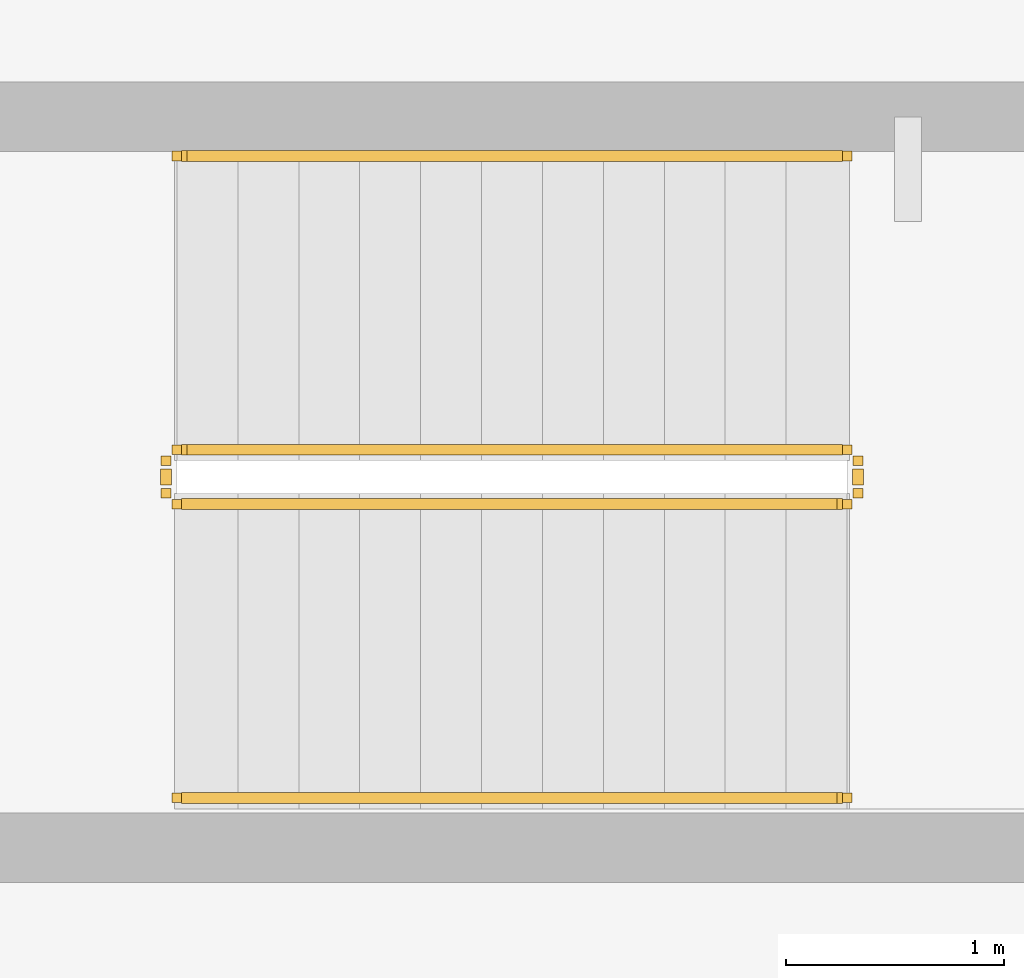
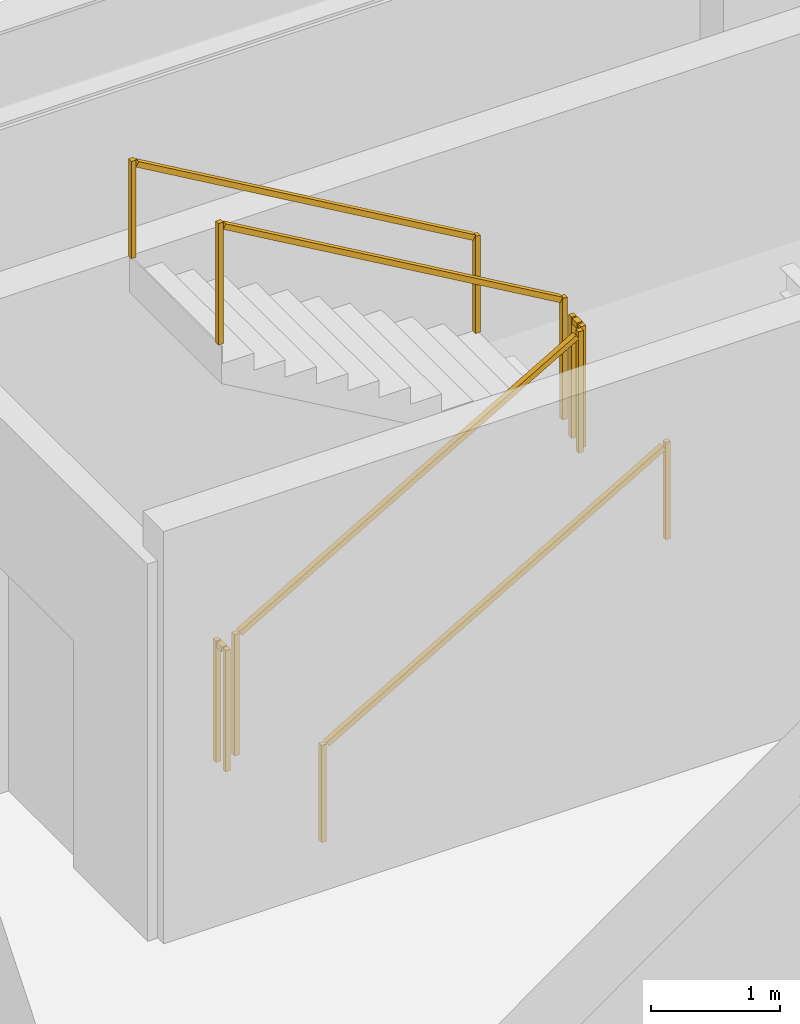
# One storey, part 14 of 16: 6 railings.
"""IFC4 building model written with IfcOpenShell, lengths in metres."""

import ifcopenshell
import ifcopenshell.guid

model = None  # the IFC model being written
_history = None  # IfcOwnerHistory: only IFC2X3 demands one
_inside = {}  # id of a spatial element -> (the spatial element, [elements in it])
_under = {}  # id of a project, library or spatial element -> (it, [spatial elements below it])
_declared = {}  # id of a project -> (the project, [libraries it declares])
_typed = {}  # id of a type object -> (the type object, [elements of that type])
_made_of = {}  # id of a material, layer set ... -> (it, [elements and type objects made of it])


def new_model(schema):
    """Start an empty IFC model of exactly this schema.

    Asked for "IFC4X3", IfcOpenShell would pick the latest addendum, in which some entities
    have other attributes; the version numbers below select the first issue.
    IFC2X3 requires an IfcOwnerHistory on every rooted entity: one is made here for all.
    """
    global model, _history
    if schema == "IFC4X3":
        model = ifcopenshell.file(schema_version=(4, 3, 0, 0))
    else:
        model = ifcopenshell.file(schema=schema)
    _inside.clear()
    _under.clear()
    _declared.clear()
    _typed.clear()
    _made_of.clear()
    _history = None
    if model.schema == "IFC2X3":
        org = make("IfcOrganization", Name="unknown")
        user = make(
            "IfcPersonAndOrganization",
            ThePerson=make("IfcPerson", FamilyName="unknown"),
            TheOrganization=org,
        )
        app = make(
            "IfcApplication",
            ApplicationDeveloper=org,
            Version="unknown",
            ApplicationFullName="unknown",
            ApplicationIdentifier="unknown",
        )
        _history = make(
            "IfcOwnerHistory",
            OwningUser=user,
            OwningApplication=app,
            ChangeAction="ADDED",
            CreationDate=0,
        )
    return model


def make(cls, **values):
    """One entity of the class cls with the attributes given. An attribute that is None is left unset."""
    return model.create_entity(
        cls, **{name: value for name, value in values.items() if value is not None}
    )


def rooted(cls, **values):
    """An entity with a GlobalId (a new one), such as an element, a storey or a relation."""
    return make(cls, GlobalId=ifcopenshell.guid.new(), OwnerHistory=_history, **values)


def si_unit(unit_type, name, prefix=None):
    """IfcSIUnit, for example si_unit("LENGTHUNIT", "METRE", prefix="MILLI")."""
    return make("IfcSIUnit", UnitType=unit_type, Prefix=prefix, Name=name)


def assignment(units):
    """IfcUnitAssignment: the units of a project."""
    return None if units is None else make("IfcUnitAssignment", Units=units)


def point(xyz):
    """IfcCartesianPoint."""
    return None if xyz is None else make("IfcCartesianPoint", Coordinates=xyz)


def direction(xyz):
    """IfcDirection."""
    return None if xyz is None else make("IfcDirection", DirectionRatios=xyz)


def frame(location, z_axis=None, x_axis=None):
    """IfcAxis2Placement3D, a coordinate frame: its origin and axes. An axis left out is left unset."""
    return make(
        "IfcAxis2Placement3D",
        Location=point(location),
        Axis=direction(z_axis),
        RefDirection=direction(x_axis),
    )


def frame_2d(location, x_axis=None):
    """IfcAxis2Placement2D, a coordinate frame in the plane: its origin and x axis."""
    return make(
        "IfcAxis2Placement2D", Location=point(location), RefDirection=direction(x_axis)
    )


def origin():
    """The frame at (0, 0, 0) with its axes left unset."""
    return frame((0.0, 0.0, 0.0))


def origin_2d():
    """The frame at (0, 0) in the plane with its x axis left unset."""
    return frame_2d((0.0, 0.0))


def place(relative_to, where):
    """IfcLocalPlacement: puts the frame where relative to a parent placement (None: the world)."""
    return make(
        "IfcLocalPlacement", PlacementRelTo=relative_to, RelativePlacement=where
    )


def context(
    kind, dimensions, precision=None, world=None, true_north=None, identifier=None
):
    """IfcGeometricRepresentationContext, for example the 3D "Model" context."""
    return make(
        "IfcGeometricRepresentationContext",
        ContextIdentifier=identifier,
        ContextType=kind,
        CoordinateSpaceDimension=dimensions,
        Precision=precision,
        WorldCoordinateSystem=world,
        TrueNorth=true_north,
    )


def subcontext(parent, identifier, kind, view, scale=None):
    """IfcGeometricRepresentationSubContext, for example "Body" below "Model"."""
    return make(
        "IfcGeometricRepresentationSubContext",
        ContextIdentifier=identifier,
        ContextType=kind,
        ParentContext=parent,
        TargetScale=scale,
        TargetView=view,
    )


def project(units=None, contexts=None):
    """IfcProject with its units and contexts."""
    return rooted(
        "IfcProject",
        Name="project",
        RepresentationContexts=contexts,
        UnitsInContext=assignment(units),
    )


def spatial(cls, under=None, at=None, **own):
    """A site, building, storey or space (cls), placed at a placement, below another one or the project."""
    s = rooted(cls, ObjectPlacement=at, **own)
    if under is not None:
        _under.setdefault(under.id(), (under, []))[1].append(s)
    return s


def profile(cls, at=None, kind="AREA", **sizes):
    """A parametric profile (cls). Its sizes go by their IFC names, for example OverallWidth=200.0."""
    return make(cls, ProfileType=kind, Position=at, **sizes)


def rectangle(**sizes):
    """IfcRectangleProfileDef."""
    return profile("IfcRectangleProfileDef", **sizes)


def extrude(swept, where, along, depth):
    """IfcExtrudedAreaSolid: the profile swept, set in the frame where, extruded along a direction by depth."""
    return make(
        "IfcExtrudedAreaSolid",
        SweptArea=swept,
        Position=where,
        ExtrudedDirection=direction(along),
        Depth=depth,
    )


def shape(context_of_items, identifier, shape_type, items):
    """IfcShapeRepresentation: the items that make up one representation, for example the "Body"."""
    return make(
        "IfcShapeRepresentation",
        ContextOfItems=context_of_items,
        RepresentationIdentifier=identifier,
        RepresentationType=shape_type,
        Items=items,
    )


def material(Name=None, Category=None):
    """IfcMaterial."""
    return make("IfcMaterial", Name=Name, Category=Category)


def made_of(thing, what):
    """Note that an element or type object is made of a material, layer set ...; save() writes the relation."""
    if what is not None:
        _made_of.setdefault(what.id(), (what, []))[1].append(thing)
    return thing


def type_object(cls, material=None, **own):
    """A type object (cls), such as IfcWallType, which elements share."""
    return made_of(rooted(cls, **own), material)


def element(
    cls,
    number,
    at=None,
    inside=None,
    cuts=None,
    type_object=None,
    material=None,
    context=None,
    identifier="Body",
    shape_type=None,
    held_by="IfcProductDefinitionShape",
    body=None,
    shapes=None,
    **own,
):
    """One element of the class cls, such as IfcWall. Its Tag is "e" and its number.

    at: its placement. inside: the storey or other place that contains it. cuts: it is an
    opening in that element (IfcRelVoidsElement). A single representation is given by context,
    identifier, shape_type and body (its items); several are given by shapes. held_by: the class
    of the entity that holds the representations. save() writes the other relations.
    """
    e = rooted(cls, Tag="e%d" % number, ObjectPlacement=at, **own)
    if body is not None:
        shapes = [shape(context, identifier, shape_type, body)]
    if shapes is not None:
        e.Representation = make(held_by, Representations=shapes)
    if inside is not None:
        _inside.setdefault(inside.id(), (inside, []))[1].append(e)
    if cuts is not None:
        rooted(
            "IfcRelVoidsElement", RelatingBuildingElement=cuts, RelatedOpeningElement=e
        )
    if type_object is not None:
        _typed.setdefault(type_object.id(), (type_object, []))[1].append(e)
    return made_of(e, material)


def aggregate(whole, parts):
    """IfcRelAggregates: a whole, such as a stair, and the parts it consists of."""
    return rooted("IfcRelAggregates", RelatingObject=whole, RelatedObjects=parts)


def save(model, path):
    """Write the relations noted so far, then the file.

    IfcRelAggregates (storeys below a building ...), IfcRelContainedInSpatialStructure (elements
    in a storey), IfcRelDefinesByType, IfcRelAssociatesMaterial and IfcRelDeclares: one each for
    every whole, place, type object, material and project.
    """
    for whole, parts in _under.values():
        aggregate(whole, parts)
    for where, things in _inside.values():
        rooted(
            "IfcRelContainedInSpatialStructure",
            RelatedElements=things,
            RelatingStructure=where,
        )
    for kind, things in _typed.values():
        rooted("IfcRelDefinesByType", RelatedObjects=things, RelatingType=kind)
    for what, things in _made_of.values():
        rooted("IfcRelAssociatesMaterial", RelatedObjects=things, RelatingMaterial=what)
    for by, libraries in _declared.values():
        rooted("IfcRelDeclares", RelatingContext=by, RelatedDefinitions=libraries)
    model.write(path)


model = new_model("IFC4")

# Units and contexts
model_context = context("Model", 3, precision=1e-05, world=origin(), true_north=direction((0.0, 1.0)))
body_context = subcontext(model_context, "Body", "Model", "MODEL_VIEW")
ifc_project = project(units=[si_unit("LENGTHUNIT", "METRE"), si_unit("AREAUNIT", "SQUARE_METRE"), si_unit("VOLUMEUNIT", "CUBIC_METRE"), si_unit("PLANEANGLEUNIT", "RADIAN"), si_unit("MASSUNIT", "GRAM", prefix="KILO")], contexts=[model_context])

# Site, building, storey
site_placement = place(None, origin())
site = spatial("IfcSite", under=ifc_project, at=site_placement, CompositionType="ELEMENT")
building_placement = place(site_placement, origin())
building = spatial("IfcBuilding", under=site, at=building_placement, Name="Yunling Apex Tower", CompositionType="ELEMENT")
storey_placement = place(building_placement, frame((0.0, 0.0, 4.5)))
storey = spatial("IfcBuildingStorey", under=building, at=storey_placement, Name="L02", CompositionType="ELEMENT", Elevation=4.5)

# Railings
ifc_material_1 = material(Name="Steel Q355B", Category="steel")
railing_type_1 = type_object("IfcRailingType", Name="RL-GRD-1150", PredefinedType="GUARDRAIL", material=ifc_material_1)
railing_1_placement = place(storey_placement, frame((-30.050048828125, 24.199951171875, 0.16259765625)))
element("IfcRailing", 1, at=railing_1_placement, inside=storey, type_object=railing_type_1, Name="L02 ST-G1 stair guard 1", PredefinedType="GUARDRAIL", context=body_context, shape_type="SweptSolid", body=[
    extrude(rectangle(XDim=0.0439453125, YDim=0.0439453125, at=origin_2d()), origin(), (0.0, 0.0, 1.0), 1.14990234375),
    extrude(rectangle(XDim=0.0439453125, YDim=0.0439453125, at=origin_2d()), frame((3.080078125, 0.0, 1.787353515625)), (0.0, 0.0, 1.0), 1.14990234375),
    extrude(rectangle(XDim=0.050048828125, YDim=0.050048828125, at=origin_2d()), frame((0.033203125, 0.0, 1.14404296875), z_axis=(0.864920483161, 0.0, 0.501908913857), x_axis=(0.0, 1.0, 0.0)), (0.0, 0.0, 1.0), 3.484375),
])
railing_2_placement = place(storey_placement, frame((-26.919921875, 24.25, 1.949951171875)))
element("IfcRailing", 2, at=railing_2_placement, inside=storey, type_object=railing_type_1, Name="L02 ST-G1 stair guard 2", PredefinedType="GUARDRAIL", context=body_context, shape_type="SweptSolid", body=[
    extrude(rectangle(XDim=0.0439453125, YDim=0.0439453125, at=origin_2d()), origin(), (0.0, 0.0, 1.0), 1.14990234375),
    extrude(rectangle(XDim=0.0439453125, YDim=0.0439453125, at=origin_2d()), frame((0.0, 0.14990234375, 0.0)), (0.0, 0.0, 1.0), 1.14990234375),
    extrude(rectangle(XDim=0.050048828125, YDim=0.050048828125, at=origin_2d()), frame((0.0, 0.038330078125, 1.125), z_axis=(0.0, 1.0, 0.0), x_axis=(-1.0, 0.0, 0.0)), (0.0, 0.0, 1.0), 0.0732421875),
])
railing_3_placement = place(storey_placement, frame((-26.969970703125, 24.449951171875, 2.112548828125)))
element("IfcRailing", 3, at=railing_3_placement, inside=storey, type_object=railing_type_1, Name="L02 ST-G1 stair guard 3", PredefinedType="GUARDRAIL", context=body_context, shape_type="SweptSolid", body=[
    extrude(rectangle(XDim=0.0439453125, YDim=0.0439453125, at=origin_2d()), origin(), (0.0, 0.0, 1.0), 1.14990234375),
    extrude(rectangle(XDim=0.0439453125, YDim=0.0439453125, at=origin_2d()), frame((-3.080078125, 0.0, 1.787353515625)), (0.0, 0.0, 1.0), 1.14990234375),
    extrude(rectangle(XDim=0.050048828125, YDim=0.050048828125, at=origin_2d()), frame((-0.033203125, 0.0, 1.14404296875), z_axis=(-0.864920483161, 0.0, 0.501908913857), x_axis=(0.0, -1.0, 0.0)), (0.0, 0.0, 1.0), 3.484375),
])
railing_4_placement = place(storey_placement, frame((-30.10009765625, 24.25, 0.0)))
element("IfcRailing", 4, at=railing_4_placement, inside=storey, type_object=railing_type_1, Name="L02 ST-G1 stair guard 4", PredefinedType="GUARDRAIL", context=body_context, shape_type="SweptSolid", body=[
    extrude(rectangle(XDim=0.0439453125, YDim=0.0439453125, at=origin_2d()), origin(), (0.0, 0.0, 1.0), 1.14990234375),
    extrude(rectangle(XDim=0.0439453125, YDim=0.0439453125, at=origin_2d()), frame((0.0, 0.14990234375, 0.0)), (0.0, 0.0, 1.0), 1.14990234375),
    extrude(rectangle(XDim=0.050048828125, YDim=0.050048828125, at=origin_2d()), frame((0.0, 0.038330078125, 1.125), z_axis=(0.0, 1.0, 0.0), x_axis=(-1.0, 0.0, 0.0)), (0.0, 0.0, 1.0), 0.0732421875),
])
ifc_material_2 = material(Name="Silver anodised aluminium", Category="aluminium")
railing_type_2 = type_object("IfcRailingType", Name="RL-HND-900", PredefinedType="HANDRAIL", material=ifc_material_2)
railing_5_placement = place(storey_placement, frame((-30.050048828125, 22.85009765625, 0.16259765625)))
element("IfcRailing", 5, at=railing_5_placement, inside=storey, type_object=railing_type_2, Name="L02 ST-G1 stair handrail 1", PredefinedType="HANDRAIL", context=body_context, shape_type="SweptSolid", body=[
    extrude(rectangle(XDim=0.0439453125, YDim=0.0439453125, at=origin_2d()), origin(), (0.0, 0.0, 1.0), 0.919921875),
    extrude(rectangle(XDim=0.0439453125, YDim=0.0439453125, at=origin_2d()), frame((3.080078125, 0.0, 1.787353515625)), (0.0, 0.0, 1.0), 0.919921875),
    extrude(rectangle(XDim=0.050048828125, YDim=0.050048828125, at=origin_2d()), frame((0.033203125, 0.0, 0.9140625), z_axis=(0.864920483161, 0.0, 0.501908913857), x_axis=(0.0, 1.0, 0.0)), (0.0, 0.0, 1.0), 3.484375),
])
railing_6_placement = place(storey_placement, frame((-26.969970703125, 25.800048828125, 2.112548828125)))
element("IfcRailing", 6, at=railing_6_placement, inside=storey, type_object=railing_type_2, Name="L02 ST-G1 stair handrail 2", PredefinedType="HANDRAIL", context=body_context, shape_type="SweptSolid", body=[
    extrude(rectangle(XDim=0.0439453125, YDim=0.0439453125, at=origin_2d()), origin(), (0.0, 0.0, 1.0), 0.919921875),
    extrude(rectangle(XDim=0.0439453125, YDim=0.0439453125, at=origin_2d()), frame((-3.080078125, 0.0, 1.787353515625)), (0.0, 0.0, 1.0), 0.919921875),
    extrude(rectangle(XDim=0.050048828125, YDim=0.050048828125, at=origin_2d()), frame((-0.033203125, 0.0, 0.9140625), z_axis=(-0.864920483161, 0.0, 0.501908913857), x_axis=(0.0, -1.0, 0.0)), (0.0, 0.0, 1.0), 3.484375),
])

save(model, "model.ifc")
